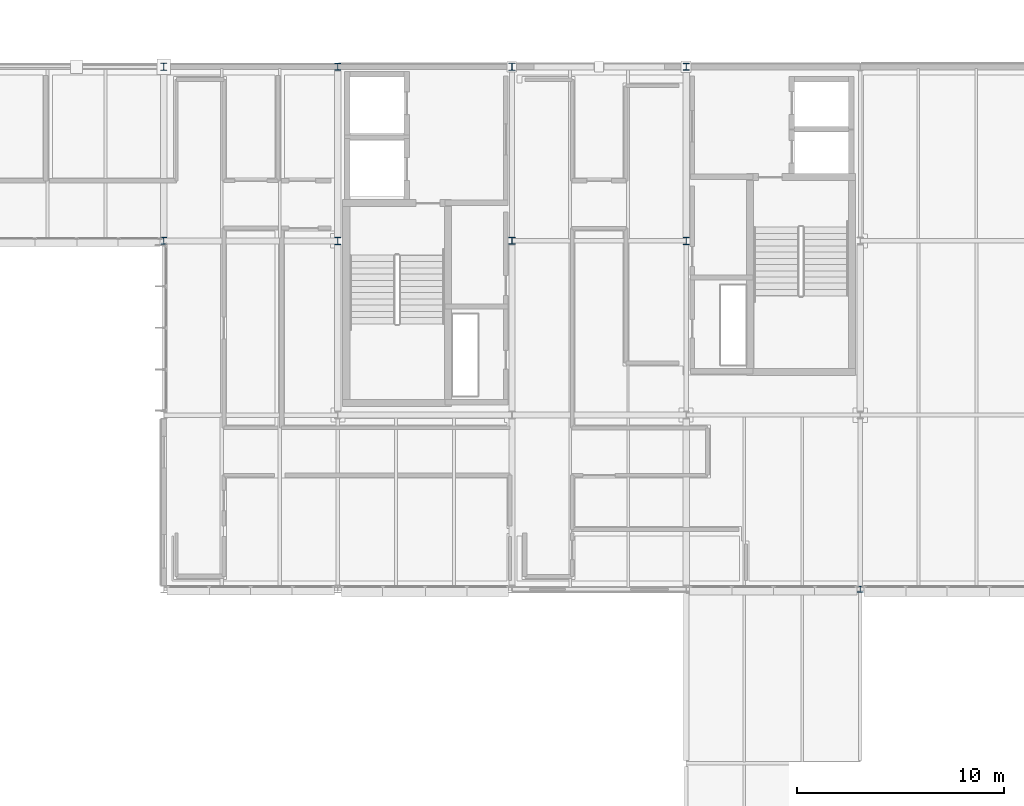
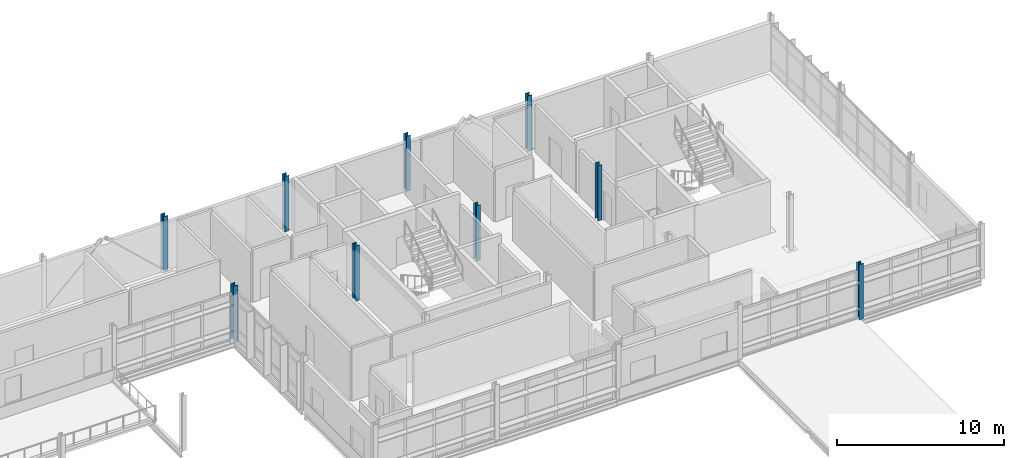
# One storey, part 6 of 57: 9 columns.
"""IFC4 building model written with IfcOpenShell, lengths in metres."""

from ifc_helpers import new_model, si_unit, direction, frame, origin, origin_2d, place, context, subcontext, project, spatial, i_section, extrude, material, material_profile, profile_set, type_object, element, save


model = new_model("IFC4")

# Units and contexts
model_context = context("Model", 3, precision=1e-05, world=origin(), true_north=direction((0.0, 1.0)))
body_context = subcontext(model_context, "Body", "Model", "MODEL_VIEW")
ifc_project = project(units=[si_unit("LENGTHUNIT", "METRE"), si_unit("AREAUNIT", "SQUARE_METRE"), si_unit("VOLUMEUNIT", "CUBIC_METRE"), si_unit("PLANEANGLEUNIT", "RADIAN"), si_unit("MASSUNIT", "GRAM", prefix="KILO")], contexts=[model_context])

# Site, building, storey
site_placement = place(None, origin())
site = spatial("IfcSite", under=ifc_project, at=site_placement, CompositionType="ELEMENT")
building_placement = place(site_placement, origin())
building = spatial("IfcBuilding", under=site, at=building_placement, Name="Mersafa Astral City Hall", CompositionType="ELEMENT")
storey_placement = place(building_placement, frame((0.0, 0.0, 26.10009765625)))
storey = spatial("IfcBuildingStorey", under=building, at=storey_placement, Name="L06", CompositionType="ELEMENT", Elevation=26.10009765625)

# Columns
ifc_material = material(Name="Steel S355", Category="steel")
ifc_material_profile_1 = material_profile(ifc_material, i_section(OverallWidth=0.300048828125, OverallDepth=0.300048828125, WebThickness=0.010986328125, FlangeThickness=0.01904296875, FilletRadius=0.027099609375, at=origin_2d()), Name="HEB 300")
ifc_profile_set_1 = profile_set([ifc_material_profile_1], Name="Steel S355")
column_type_1 = type_object("IfcColumnType", Name="STR-COL-HEB300", PredefinedType="COLUMN", material=ifc_profile_set_1)
column_placement = place(storey_placement, frame((176.39990234375, 100.800048828125, 0.0), z_axis=(0.0, 0.0, 1.0), x_axis=(1.0, 0.0, 0.0)))
element("IfcColumn", 1, at=column_placement, inside=storey, type_object=column_type_1, Name="L06 Structural column G-21-12", PredefinedType="COLUMN", context=body_context, shape_type="SweptSolid", body=[
    extrude(i_section(OverallWidth=0.300048828125, OverallDepth=0.300048828125, WebThickness=0.010986328125, FlangeThickness=0.01904296875, FilletRadius=0.027099609375, at=origin_2d()), origin(), (0.0, 0.0, 1.0), 4.0498046875),
])
ifc_material_profile_2 = material_profile(ifc_material, i_section(OverallWidth=0.300048828125, OverallDepth=0.340087890625, WebThickness=0.011962890625, FlangeThickness=0.021484375, FilletRadius=0.027099609375, at=origin_2d()), Name="HEB 340")
ifc_profile_set_2 = profile_set([ifc_material_profile_2], Name="Steel S355")
column_type_2 = type_object("IfcColumnType", Name="STR-COL-HEB340", PredefinedType="COLUMN", material=ifc_profile_set_2)
for number, where, z_axis, x_axis, name in (
    (2, (142.800048828125, 117.60009765625, 0.0), (0.0, 0.0, 1.0), (1.0, 0.0, 0.0), "L06 Structural column G-17-14"),
    (3, (151.199951171875, 126.0, 0.0), (0.0, 0.0, 1.0), (1.0, 0.0, 0.0), "L06 Structural column G-18-15"),
    (4, (159.60009765625, 117.60009765625, 0.0), (0.0, 0.0, 1.0), (1.0, 0.0, 0.0), "L06 Structural column G-19-14"),
    (5, (168.0, 126.0, 0.0), (0.0, 0.0, 1.0), (1.0, 0.0, 0.0), "L06 Structural column G-20-15"),
):
    element("IfcColumn", number, at=place(storey_placement, frame(where, z_axis=z_axis, x_axis=x_axis)), inside=storey, type_object=column_type_2, Name=name, PredefinedType="COLUMN", context=body_context, shape_type="SweptSolid", body=[
        extrude(i_section(OverallWidth=0.300048828125, OverallDepth=0.340087890625, WebThickness=0.011962890625, FlangeThickness=0.021484375, FilletRadius=0.027099609375, at=origin_2d()), origin(), (0.0, 0.0, 1.0), 4.0498046875),
    ])
ifc_material_profile_3 = material_profile(ifc_material, i_section(OverallWidth=0.300048828125, OverallDepth=0.360107421875, WebThickness=0.012451171875, FlangeThickness=0.0224609375, FilletRadius=0.027099609375, at=origin_2d()), Name="HEB 360")
ifc_profile_set_3 = profile_set([ifc_material_profile_3], Name="Steel S355")
column_type_3 = type_object("IfcColumnType", Name="STR-COL-HEB360", PredefinedType="COLUMN", material=ifc_profile_set_3)
for number, where, z_axis, x_axis, name in (
    (6, (142.800048828125, 126.0, 0.0), (0.0, 0.0, 1.0), (1.0, 0.0, 0.0), "L06 Structural column G-17-15"),
    (7, (151.199951171875, 117.60009765625, 0.0), (0.0, 0.0, 1.0), (1.0, 0.0, 0.0), "L06 Structural column G-18-14"),
    (8, (159.60009765625, 126.0, 0.0), (0.0, 0.0, 1.0), (1.0, 0.0, 0.0), "L06 Structural column G-19-15"),
    (9, (168.0, 117.60009765625, 0.0), (0.0, 0.0, 1.0), (1.0, 0.0, 0.0), "L06 Structural column G-20-14"),
):
    element("IfcColumn", number, at=place(storey_placement, frame(where, z_axis=z_axis, x_axis=x_axis)), inside=storey, type_object=column_type_3, Name=name, PredefinedType="COLUMN", context=body_context, shape_type="SweptSolid", body=[
        extrude(i_section(OverallWidth=0.300048828125, OverallDepth=0.360107421875, WebThickness=0.012451171875, FlangeThickness=0.0224609375, FilletRadius=0.027099609375, at=origin_2d()), origin(), (0.0, 0.0, 1.0), 4.0498046875),
    ])

save(model, "model.ifc")
